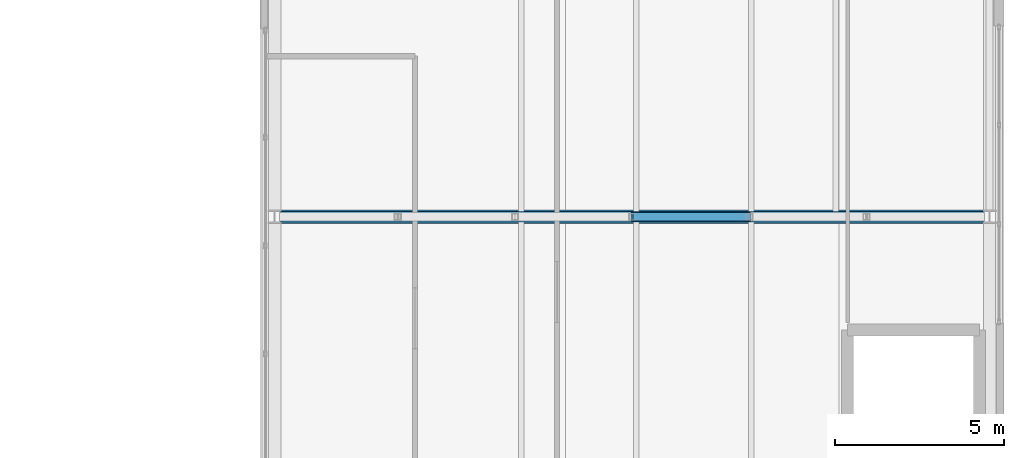
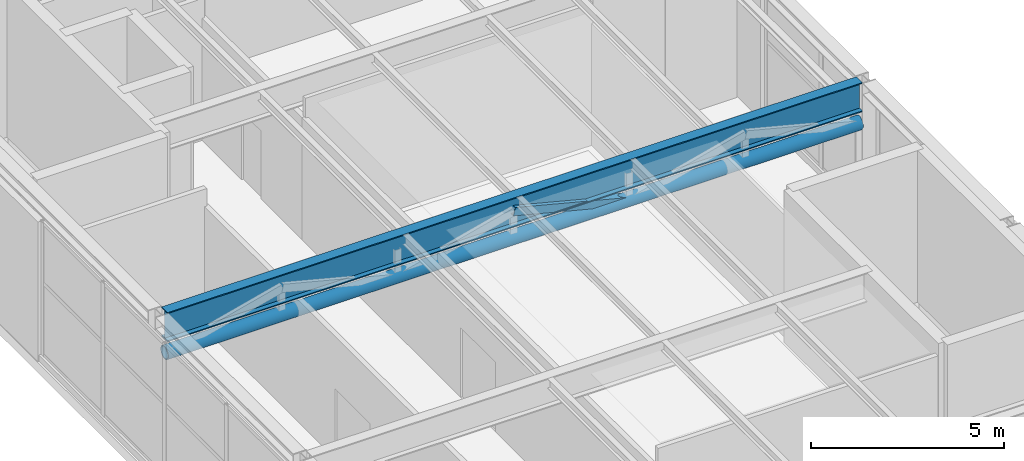
# One storey, part 10 of 27: 2 members, 1 beam.
"""IFC4 building model written with IfcOpenShell, lengths in metres."""

from ifc_helpers import new_model, si_unit, direction, frame, origin, origin_2d, place, context, subcontext, project, spatial, hollow_rectangle, hollow_circle, i_section, extrude, material, material_profile, profile_set, type_object, element, save


model = new_model("IFC4")

# Units and contexts
model_context = context("Model", 3, precision=1e-05, world=origin(), true_north=direction((0.0, 1.0)))
body_context = subcontext(model_context, "Body", "Model", "MODEL_VIEW")
ifc_project = project(units=[si_unit("LENGTHUNIT", "METRE"), si_unit("AREAUNIT", "SQUARE_METRE"), si_unit("VOLUMEUNIT", "CUBIC_METRE"), si_unit("PLANEANGLEUNIT", "RADIAN"), si_unit("MASSUNIT", "GRAM", prefix="KILO")], contexts=[model_context])

# Site, building, storey
site_placement = place(None, origin())
site = spatial("IfcSite", under=ifc_project, at=site_placement, CompositionType="ELEMENT")
building_placement = place(site_placement, origin())
building = spatial("IfcBuilding", under=site, at=building_placement, Name="Mersakhor Tower and Convention Hall", CompositionType="ELEMENT")
storey_placement = place(building_placement, frame((0.0, 0.0, 14.39990234375)))
storey = spatial("IfcBuildingStorey", under=building, at=storey_placement, Name="L03", CompositionType="ELEMENT", Elevation=14.39990234375)

# Beam
ifc_material_1 = material(Name="Steel S355", Category="steel")
ifc_material_profile_1 = material_profile(ifc_material_1, i_section(OverallWidth=0.3076171875, OverallDepth=0.926513671875, WebThickness=0.01953125, FlangeThickness=0.031982421875, at=origin_2d()), Name="UB 914x305x289")
ifc_profile_set_1 = profile_set([ifc_material_profile_1], Name="Steel S355")
beam_type = type_object("IfcBeamType", Name="BM-PR-914", PredefinedType="BEAM", material=ifc_profile_set_1)
beam_placement = place(storey_placement, frame((55.679931640625, 33.25, 4.3369140625), z_axis=(1.0, 0.0, 0.0), x_axis=(0.0, 1.0, 0.0)))
element("IfcBeam", 1, at=beam_placement, inside=storey, type_object=beam_type, Name="Convention L03 Clear-Span Girder CG-5", PredefinedType="BEAM", context=body_context, shape_type="SweptSolid", body=[
    extrude(i_section(OverallWidth=0.3076171875, OverallDepth=0.926513671875, WebThickness=0.01953125, FlangeThickness=0.031982421875, at=origin_2d()), origin(), (0.0, 0.0, 1.0), 20.7900390625),
])

# Members
ifc_material_2 = material(Name="Steel S355", Category="steel")
ifc_material_profile_2 = material_profile(ifc_material_2, hollow_rectangle(XDim=0.25, YDim=0.25, WallThickness=0.01611328125, at=origin_2d()), Name="SHS 250x250x16")
ifc_profile_set_2 = profile_set([ifc_material_profile_2], Name="Steel S355")
member_type_1 = type_object("IfcMemberType", Name="MB-BRC-SHS250", PredefinedType="BRACE", material=ifc_profile_set_2)
member_1_placement = place(storey_placement, frame((66.074951171875, 33.25, 4.3369140625), z_axis=(0.968782501118, 0.0, -0.247912213349), x_axis=(0.0, 1.0, 0.0)))
element("IfcMember", 2, at=member_1_placement, inside=storey, type_object=member_type_1, Name="Convention L03 Truss Web Diagonal TD-5-4", PredefinedType="BRACE", context=body_context, shape_type="SweptSolid", body=[
    extrude(hollow_rectangle(XDim=0.25, YDim=0.25, WallThickness=0.01611328125, at=origin_2d()), origin(), (0.0, 0.0, 1.0), 3.57666015625),
])
ifc_material_3 = material(Name="Steel S355", Category="steel")
ifc_material_profile_3 = material_profile(ifc_material_3, hollow_circle(Radius=0.203125, WallThickness=0.02490234375, at=origin_2d()), Name="CHS 406.4x25")
ifc_profile_set_3 = profile_set([ifc_material_profile_3], Name="Steel S355")
member_type_2 = type_object("IfcMemberType", Name="MB-CHD-CHS406", PredefinedType="CHORD", material=ifc_profile_set_3)
member_2_placement = place(storey_placement, frame((55.679931640625, 33.25, 3.4501953125), z_axis=(1.0, 0.0, 0.0), x_axis=(0.0, 1.0, 0.0)))
element("IfcMember", 3, at=member_2_placement, inside=storey, type_object=member_type_2, Name="Convention L03 Long-Span Truss Bottom Chord TC-5", PredefinedType="CHORD", context=body_context, shape_type="SweptSolid", body=[
    extrude(hollow_circle(Radius=0.203125, WallThickness=0.02490234375, at=origin_2d()), origin(), (0.0, 0.0, 1.0), 20.7900390625),
])

save(model, "model.ifc")
